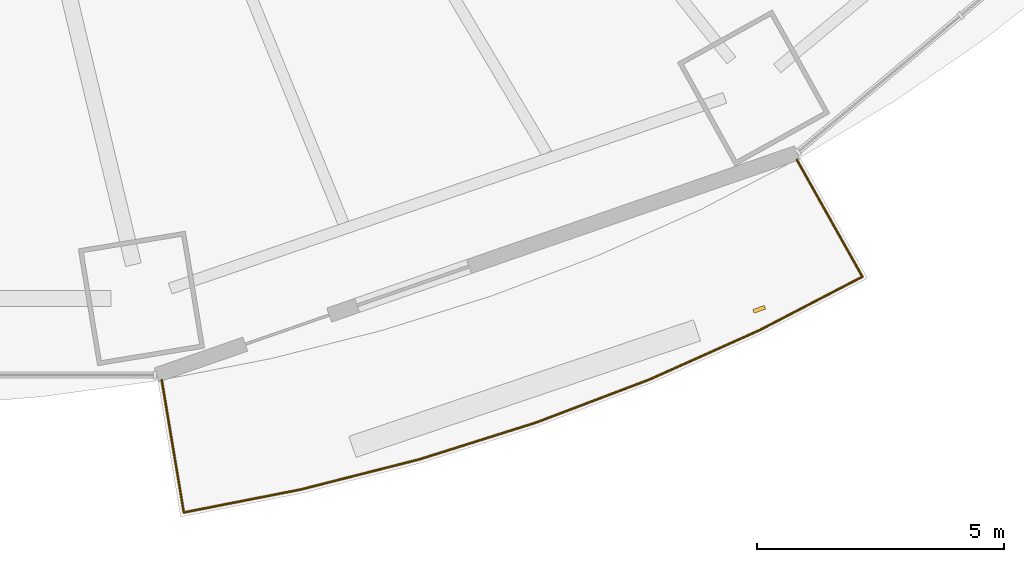
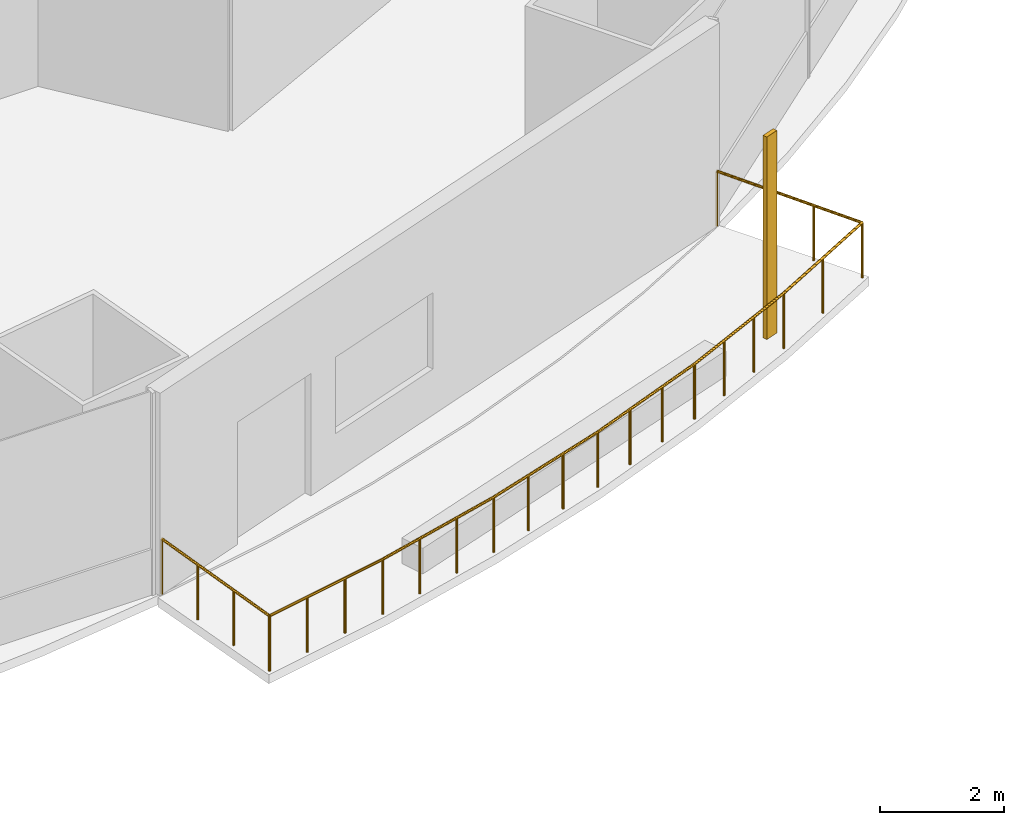
# One storey, part 19 of 23: 1 railing, 1 shading device.
"""IFC4 building model written with IfcOpenShell, lengths in metres."""

from ifc_helpers import new_model, si_unit, direction, frame, origin, origin_2d, place, context, subcontext, project, spatial, rectangle, circle, extrude, material, material_profile, profile_set, type_object, element, save


model = new_model("IFC4")

# Units and contexts
model_context = context("Model", 3, precision=1e-05, world=origin(), true_north=direction((0.0, 1.0)))
body_context = subcontext(model_context, "Body", "Model", "MODEL_VIEW")
ifc_project = project(units=[si_unit("LENGTHUNIT", "METRE"), si_unit("AREAUNIT", "SQUARE_METRE"), si_unit("VOLUMEUNIT", "CUBIC_METRE"), si_unit("PLANEANGLEUNIT", "RADIAN"), si_unit("MASSUNIT", "GRAM", prefix="KILO")], contexts=[model_context])

# Site, building, storey
site_placement = place(None, origin())
site = spatial("IfcSite", under=ifc_project, at=site_placement, CompositionType="ELEMENT")
building_placement = place(site_placement, origin())
building = spatial("IfcBuilding", under=site, at=building_placement, Name="Marenthal Gate Tower", CompositionType="ELEMENT")
storey_placement = place(building_placement, frame((0.0, 0.0, 66.199951171875)))
storey = spatial("IfcBuildingStorey", under=building, at=storey_placement, Name="L12", CompositionType="ELEMENT", Elevation=66.199951171875)

# Railing
ifc_material_1 = material(Name="Stainless steel", Category="steel")
railing_type = type_object("IfcRailingType", Name="Balcony guard 1100", PredefinedType="GUARDRAIL", material=ifc_material_1)
railing_placement = place(storey_placement, frame((19.99462890625, -25.206787109375, 0.0)))
element("IfcRailing", 1, at=railing_placement, inside=storey, type_object=railing_type, Name="Balcony guard L12 bay 13", PredefinedType="GUARDRAIL", context=body_context, shape_type="SweptSolid", body=[
    extrude(circle(Radius=0.02392578125, at=origin_2d()), frame((0.0, 0.0, 1.076171875), z_axis=(0.488848293332, -0.872244641619, -0.014718399138), x_axis=(0.872339134705, 0.488901251851, 0.0)), (0.0, 0.0, 1.0), 2.720458984375),
    extrude(circle(Radius=0.02392578125, at=origin_2d()), frame((1.329833984375, -2.372802734375, 1.0361328125), z_axis=(-0.887238949587, -0.461310141159, 0.0), x_axis=(0.461310141159, -0.887238949587, 0.0)), (0.0, 0.0, 1.0), 2.34619140625),
    extrude(circle(Radius=0.02392578125, at=origin_2d()), frame((-0.751708984375, -3.455078125, 1.0361328125), z_axis=(-0.912604464389, -0.408843602833, 0.0), x_axis=(0.408843602833, -0.912604464389, 0.0)), (0.0, 0.0, 1.0), 2.443603515625),
    extrude(circle(Radius=0.02392578125, at=origin_2d()), frame((-2.981689453125, -4.4541015625, 1.0361328125), z_axis=(-0.934856725019, -0.355025215564, 0.0), x_axis=(0.355025215564, -0.934856725019, 0.0)), (0.0, 0.0, 1.0), 2.459716796875),
    extrude(circle(Radius=0.02392578125, at=origin_2d()), frame((-5.28125, -5.327392578125, 1.0361328125), z_axis=(-0.953670609563, -0.300852735495, 0.0), x_axis=(0.300852735495, -0.953670609563, 0.0)), (0.0, 0.0, 1.0), 2.474365234375),
    extrude(circle(Radius=0.02392578125, at=origin_2d()), frame((-7.640869140625, -6.07177734375, 1.0361328125), z_axis=(-0.969164557422, -0.24641440834, 0.0), x_axis=(0.24641440834, -0.969164557422, 0.0)), (0.0, 0.0, 1.0), 2.48681640625),
    extrude(circle(Radius=0.02392578125, at=origin_2d()), frame((-10.051025390625, -6.6845703125, 1.0361328125), z_axis=(-0.981247114518, -0.192753988932, 0.0), x_axis=(0.192753988932, -0.981247114518, 0.0)), (0.0, 0.0, 1.0), 2.416748046875),
    extrude(circle(Radius=0.02392578125, at=origin_2d()), frame((-12.42236328125, -7.150390625, 1.0361328125), z_axis=(-0.164599482451, 0.986250661205, 0.014718819587), x_axis=(-0.986357511038, -0.164617315064, 0.0)), (0.0, 0.0, 1.0), 2.72021484375),
    extrude(circle(Radius=0.02099609375, at=origin_2d()), origin(), (0.0, 0.0, 1.0), 1.052001953125),
    extrude(circle(Radius=0.02099609375, at=origin_2d()), frame((0.443359375, -0.791015625, -0.013427734375)), (0.0, 0.0, 1.0), 1.052001953125),
    extrude(circle(Radius=0.02099609375, at=origin_2d()), frame((0.886474609375, -1.581787109375, -0.026611328125)), (0.0, 0.0, 1.0), 1.052001953125),
    extrude(circle(Radius=0.02099609375, at=origin_2d()), frame((1.329833984375, -2.372802734375, -0.0400390625)), (0.0, 0.0, 1.0), 1.052001953125),
    extrude(circle(Radius=0.02099609375, at=origin_2d()), frame((0.2890625, -2.9140625, -0.0400390625)), (0.0, 0.0, 1.0), 1.052001953125),
    extrude(circle(Radius=0.02099609375, at=origin_2d()), frame((-0.751708984375, -3.455078125, -0.0400390625)), (0.0, 0.0, 1.0), 1.052001953125),
    extrude(circle(Radius=0.02099609375, at=origin_2d()), frame((-1.4951171875, -3.7880859375, -0.0400390625)), (0.0, 0.0, 1.0), 1.052001953125),
    extrude(circle(Radius=0.02099609375, at=origin_2d()), frame((-2.23828125, -4.12109375, -0.0400390625)), (0.0, 0.0, 1.0), 1.052001953125),
    extrude(circle(Radius=0.02099609375, at=origin_2d()), frame((-2.981689453125, -4.4541015625, -0.0400390625)), (0.0, 0.0, 1.0), 1.052001953125),
    extrude(circle(Radius=0.02099609375, at=origin_2d()), frame((-3.748291015625, -4.7451171875, -0.0400390625)), (0.0, 0.0, 1.0), 1.052001953125),
    extrude(circle(Radius=0.02099609375, at=origin_2d()), frame((-4.5146484375, -5.036376953125, -0.0400390625)), (0.0, 0.0, 1.0), 1.052001953125),
    extrude(circle(Radius=0.02099609375, at=origin_2d()), frame((-5.28125, -5.327392578125, -0.0400390625)), (0.0, 0.0, 1.0), 1.052001953125),
    extrude(circle(Radius=0.02099609375, at=origin_2d()), frame((-6.06787109375, -5.575439453125, -0.0400390625)), (0.0, 0.0, 1.0), 1.052001953125),
    extrude(circle(Radius=0.02099609375, at=origin_2d()), frame((-6.854248046875, -5.82373046875, -0.0400390625)), (0.0, 0.0, 1.0), 1.052001953125),
    extrude(circle(Radius=0.02099609375, at=origin_2d()), frame((-7.640869140625, -6.07177734375, -0.0400390625)), (0.0, 0.0, 1.0), 1.052001953125),
    extrude(circle(Radius=0.02099609375, at=origin_2d()), frame((-8.4443359375, -6.276123046875, -0.0400390625)), (0.0, 0.0, 1.0), 1.052001953125),
    extrude(circle(Radius=0.02099609375, at=origin_2d()), frame((-9.24755859375, -6.480224609375, -0.0400390625)), (0.0, 0.0, 1.0), 1.052001953125),
    extrude(circle(Radius=0.02099609375, at=origin_2d()), frame((-10.051025390625, -6.6845703125, -0.0400390625)), (0.0, 0.0, 1.0), 1.052001953125),
    extrude(circle(Radius=0.02099609375, at=origin_2d()), frame((-10.841552734375, -6.83984375, -0.0400390625)), (0.0, 0.0, 1.0), 1.052001953125),
    extrude(circle(Radius=0.02099609375, at=origin_2d()), frame((-11.6318359375, -6.9951171875, -0.0400390625)), (0.0, 0.0, 1.0), 1.052001953125),
    extrude(circle(Radius=0.02099609375, at=origin_2d()), frame((-12.42236328125, -7.150390625, -0.0400390625)), (0.0, 0.0, 1.0), 1.052001953125),
    extrude(circle(Radius=0.02099609375, at=origin_2d()), frame((-12.571533203125, -6.256103515625, -0.026611328125)), (0.0, 0.0, 1.0), 1.052001953125),
    extrude(circle(Radius=0.02099609375, at=origin_2d()), frame((-12.720947265625, -5.36181640625, -0.013427734375)), (0.0, 0.0, 1.0), 1.052001953125),
    extrude(circle(Radius=0.02099609375, at=origin_2d()), frame((-12.8701171875, -4.467529296875, 0.0)), (0.0, 0.0, 1.0), 1.052001953125),
])

# Shading device
ifc_material_2 = material(Name="Terracotta", Category="masonry")
ifc_material_profile = material_profile(ifc_material_2, rectangle(XDim=0.25, YDim=0.080078125, at=origin_2d()), Name="Terracotta baguette 250x80")
ifc_profile_set = profile_set([ifc_material_profile], Name="Terracotta")
shading_device_type = type_object("IfcShadingDeviceType", Name="Terracotta BAGUETTE SCREEN 250x80", PredefinedType="USERDEFINED", material=ifc_profile_set)
shading_device_placement = place(storey_placement, frame((19.23291015625, -28.24072265625, -0.0400390625), z_axis=(0.0, 0.0, 1.0), x_axis=(0.944672154092, 0.32801603815, 0.0)))
element("IfcShadingDevice", 2, at=shading_device_placement, inside=storey, type_object=shading_device_type, Name="Terracotta BAGUETTE L12 bay 13R", ObjectType="BAGUETTE SCREEN", PredefinedType="USERDEFINED", context=body_context, shape_type="SweptSolid", body=[
    extrude(rectangle(XDim=0.25, YDim=0.080078125, at=origin_2d()), origin(), (0.0, 0.0, 1.0), 3.969970703125),
])

save(model, "model.ifc")
